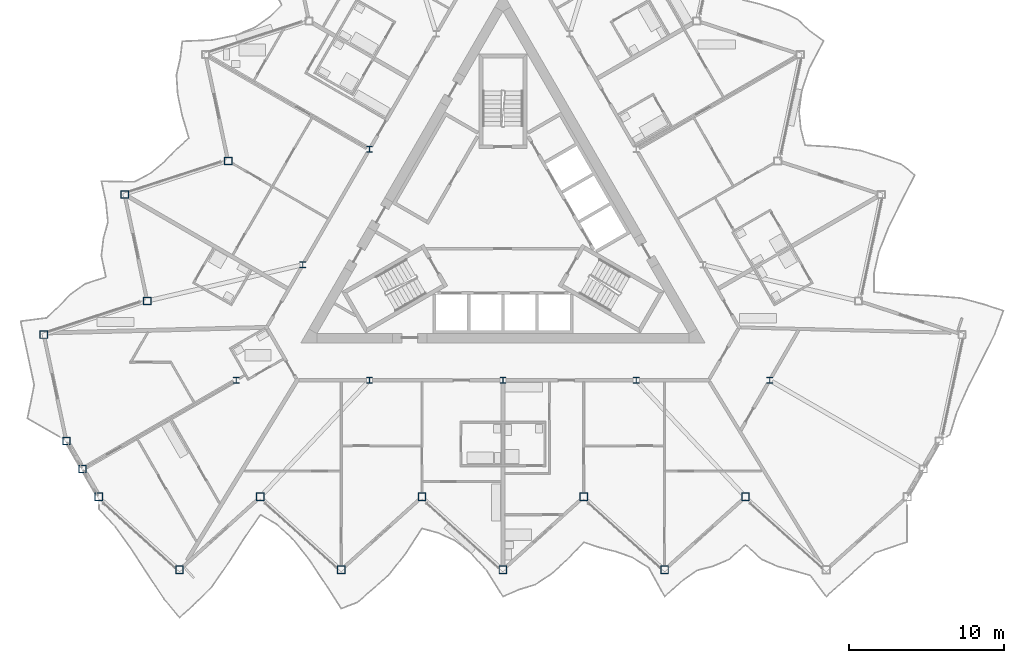
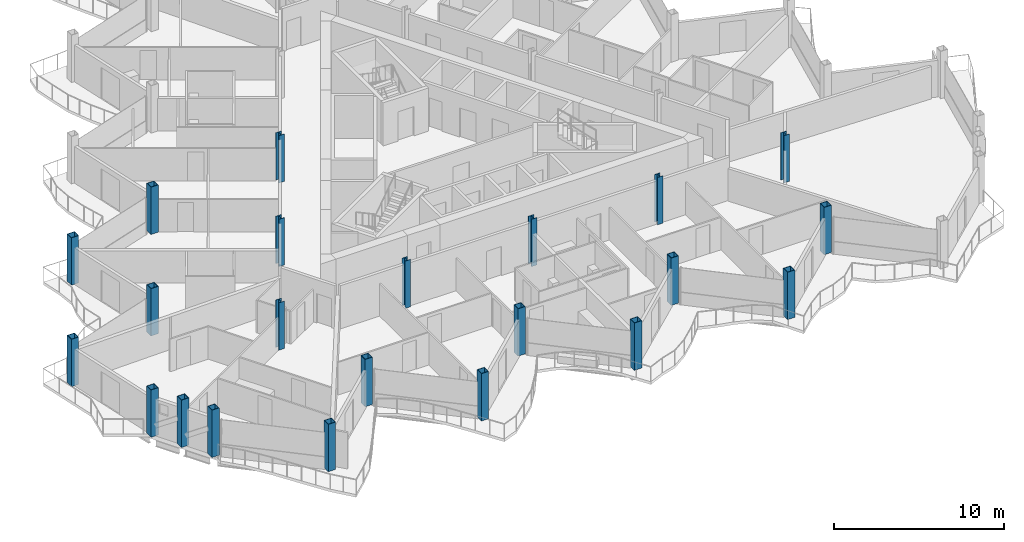
# One storey, part 1 of 26: 22 columns.
"""IFC4 building model written with IfcOpenShell, lengths in metres."""

from ifc_helpers import new_model, si_unit, direction, frame, origin, origin_2d, place, context, subcontext, project, spatial, hollow_rectangle, i_section, extrude, material, material_profile, profile_set, type_object, element, save


model = new_model("IFC4")

# Units and contexts
model_context = context("Model", 3, precision=1e-05, world=origin(), true_north=direction((0.0, 1.0)))
body_context = subcontext(model_context, "Body", "Model", "MODEL_VIEW")
ifc_project = project(units=[si_unit("LENGTHUNIT", "METRE"), si_unit("AREAUNIT", "SQUARE_METRE"), si_unit("VOLUMEUNIT", "CUBIC_METRE"), si_unit("PLANEANGLEUNIT", "RADIAN"), si_unit("MASSUNIT", "GRAM", prefix="KILO")], contexts=[model_context])

# Site, building, storey
site_placement = place(None, origin())
site = spatial("IfcSite", under=ifc_project, at=site_placement, CompositionType="ELEMENT")
building_placement = place(site_placement, origin())
building = spatial("IfcBuilding", under=site, at=building_placement, Name="Cormorant Prow Tower", CompositionType="ELEMENT")
storey_placement = place(building_placement, frame((0.0, 0.0, 398.39990234375)))
storey = spatial("IfcBuildingStorey", under=building, at=storey_placement, Name="L91", CompositionType="ELEMENT", Elevation=398.39990234375)

# Columns
ifc_material_1 = material(Name="Structural steel ASTM A572 Gr 50", Category="steel")
ifc_material_profile_1 = material_profile(ifc_material_1, hollow_rectangle(XDim=0.5, YDim=0.5, WallThickness=0.030029296875, at=origin_2d()), Name="Box 500x500x30")
ifc_profile_set_1 = profile_set([ifc_material_profile_1], Name="Structural steel ASTM A572 Gr 50")
column_type_1 = type_object("IfcColumnType", Name="Perimeter box column 500x500x30", PredefinedType="COLUMN", material=ifc_profile_set_1)
for number, where, z_axis, x_axis, name in (
    (1, (-26.0, -17.40576171875, 0.0), (0.0, 0.0, 1.0), (1.0, 0.0, 0.0), "Perimeter column C7 at S00 L91"),
    (2, (-20.800048828125, -22.087890625, 0.0), (0.0, 0.0, 1.0), (1.0, 0.0, 0.0), "Perimeter column C7 at S01 L91"),
    (3, (-15.60009765625, -17.40576171875, 0.0), (0.0, 0.0, 1.0), (1.0, 0.0, 0.0), "Perimeter column C7 at S02 L91"),
    (4, (-10.39990234375, -22.087890625, 0.0), (0.0, 0.0, 1.0), (1.0, 0.0, 0.0), "Perimeter column C7 at S03 L91"),
    (5, (-5.199951171875, -17.40576171875, 0.0), (0.0, 0.0, 1.0), (1.0, 0.0, 0.0), "Perimeter column C7 at S04 L91"),
    (6, (0.0, -22.087890625, 0.0), (0.0, 0.0, 1.0), (1.0, 0.0, 0.0), "Perimeter column C7 at S05 L91"),
    (7, (5.199951171875, -17.40576171875, 0.0), (0.0, 0.0, 1.0), (1.0, 0.0, 0.0), "Perimeter column C7 at S06 L91"),
    (8, (10.39990234375, -22.087890625, 0.0), (0.0, 0.0, 1.0), (1.0, 0.0, 0.0), "Perimeter column C7 at S07 L91"),
    (9, (15.60009765625, -17.40576171875, 0.0), (0.0, 0.0, 1.0), (1.0, 0.0, 0.0), "Perimeter column C7 at S08 L91"),
    (10, (-17.673828125, 4.199462890625, 0.0), (0.0, 0.0, 1.0), (1.0, 0.0, 0.0), "Perimeter column C7 at WNW06 L91"),
    (11, (-24.32861328125, 2.037353515625, 0.0), (0.0, 0.0, 1.0), (1.0, 0.0, 0.0), "Perimeter column C7 at WNW07 L91"),
    (12, (-22.873779296875, -4.80712890625, 0.0), (0.0, 0.0, 1.0), (1.0, 0.0, 0.0), "Perimeter column C7 at WNW08 L91"),
    (13, (-29.528564453125, -6.969482421875, 0.0), (0.0, 0.0, 1.0), (1.0, 0.0, 0.0), "Perimeter column C7 at WNW09 L91"),
    (14, (-28.07373046875, -13.813720703125, 0.0), (0.0, 0.0, 1.0), (1.0, 0.0, 0.0), "Perimeter column C7 at WSW00 L91"),
    (15, (-27.036865234375, -15.60986328125, 0.0), (0.0, 0.0, 1.0), (1.0, 0.0, 0.0), "Perimeter column C7 at WSW01 L91"),
):
    element("IfcColumn", number, at=place(storey_placement, frame(where, z_axis=z_axis, x_axis=x_axis)), inside=storey, type_object=column_type_1, Name=name, PredefinedType="COLUMN", context=body_context, shape_type="SweptSolid", body=[
        extrude(hollow_rectangle(XDim=0.5, YDim=0.5, WallThickness=0.030029296875, at=origin_2d()), origin(), (0.0, 0.0, 1.0), 3.400146484375),
    ])
ifc_material_2 = material(Name="Structural steel ASTM A992 Gr 50", Category="steel")
ifc_material_profile_2 = material_profile(ifc_material_2, i_section(OverallWidth=0.3740234375, OverallDepth=0.372314453125, WebThickness=0.016357421875, FlangeThickness=0.026123046875, at=origin_2d()), Name="W14x132")
ifc_profile_set_2 = profile_set([ifc_material_profile_2], Name="Structural steel ASTM A992 Gr 50")
column_type_2 = type_object("IfcColumnType", Name="Ring column W14x132", PredefinedType="COLUMN", material=ifc_profile_set_2)
for number, where, z_axis, x_axis, name in (
    (16, (-8.578369140625, 4.952880859375, 0.0), (0.0, 0.0, 1.0), (1.0, 0.0, 0.0), "Ring column 3 L91"),
    (17, (-12.86767578125, -2.476318359375, 0.0), (0.0, 0.0, 1.0), (1.0, 0.0, 0.0), "Ring column 4 L91"),
    (18, (-17.156982421875, -9.905517578125, 0.0), (0.0, 0.0, 1.0), (1.0, 0.0, 0.0), "Ring column 5 L91"),
    (19, (-8.578369140625, -9.905517578125, 0.0), (0.0, 0.0, 1.0), (1.0, 0.0, 0.0), "Ring column 6 L91"),
    (20, (0.0, -9.905517578125, 0.0), (0.0, 0.0, 1.0), (1.0, 0.0, 0.0), "Ring column 7 L91"),
    (21, (8.578369140625, -9.905517578125, 0.0), (0.0, 0.0, 1.0), (1.0, 0.0, 0.0), "Ring column 8 L91"),
    (22, (17.156982421875, -9.905517578125, 0.0), (0.0, 0.0, 1.0), (1.0, 0.0, 0.0), "Ring column 9 L91"),
):
    element("IfcColumn", number, at=place(storey_placement, frame(where, z_axis=z_axis, x_axis=x_axis)), inside=storey, type_object=column_type_2, Name=name, PredefinedType="COLUMN", context=body_context, shape_type="SweptSolid", body=[
        extrude(i_section(OverallWidth=0.3740234375, OverallDepth=0.372314453125, WebThickness=0.016357421875, FlangeThickness=0.026123046875, at=origin_2d()), origin(), (0.0, 0.0, 1.0), 3.400146484375),
    ])

save(model, "model.ifc")
